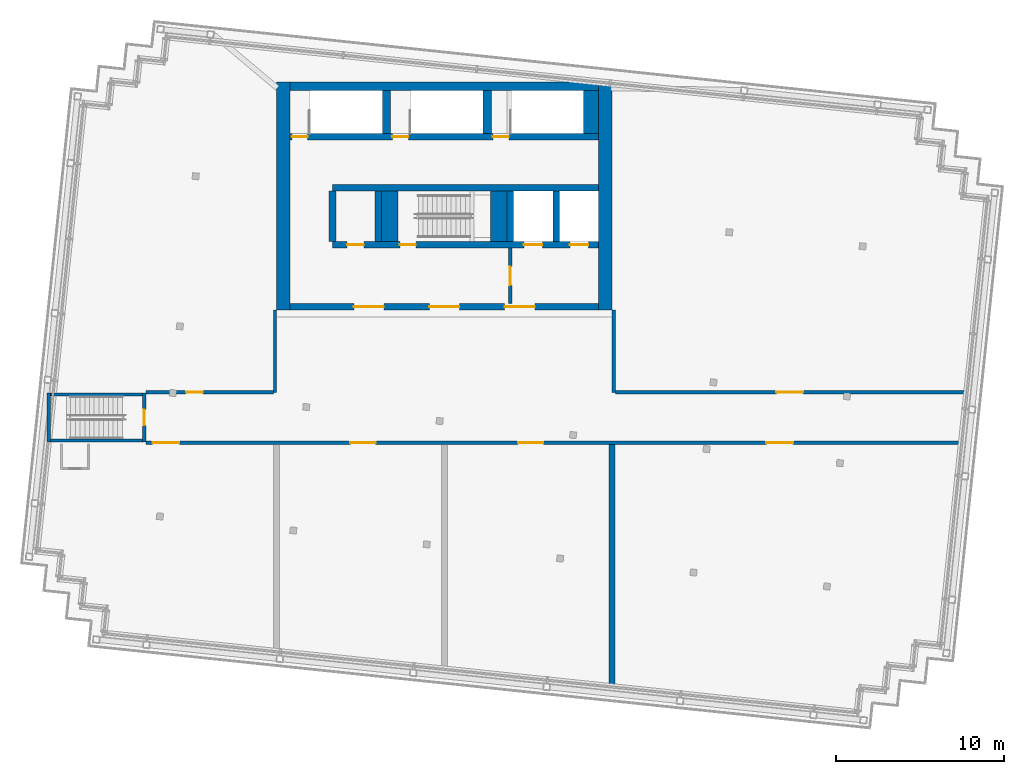
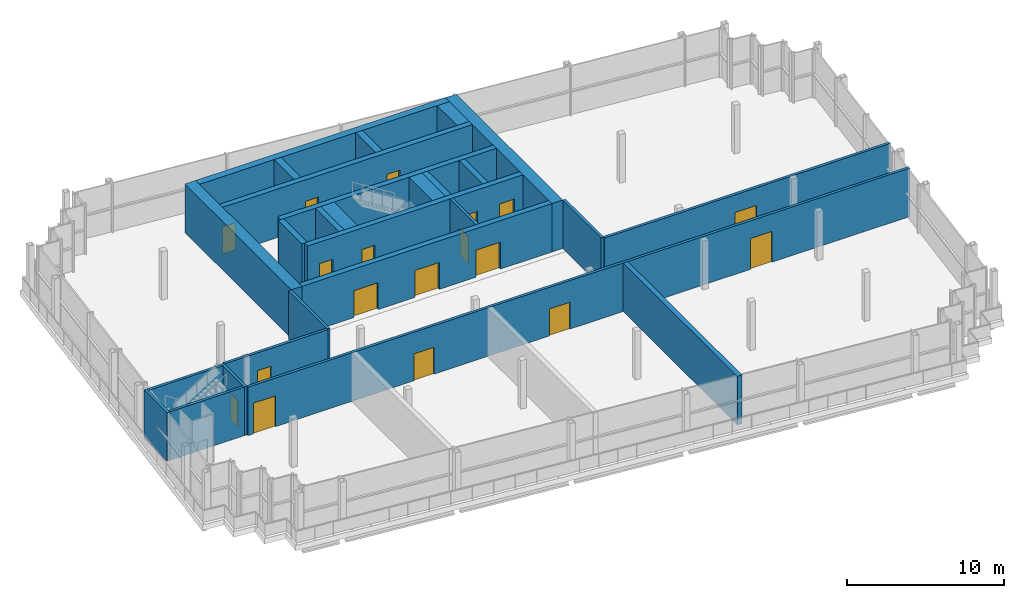
# One storey, part 8 of 13: 27 walls, 18 doors, 18 openings.
"""IFC4 building model written with IfcOpenShell, lengths in metres."""

from ifc_helpers import new_model, si_unit, direction, frame, frame_2d, origin, place, context, subcontext, project, spatial, rectangle, extrude, material, layer, layer_set, type_object, element, fill, save


model = new_model("IFC4")

# Units and contexts
model_context = context("Model", 3, precision=1e-05, world=origin(), true_north=direction((0.0, 1.0)))
body_context = subcontext(model_context, "Body", "Model", "MODEL_VIEW")
ifc_project = project(units=[si_unit("LENGTHUNIT", "METRE"), si_unit("AREAUNIT", "SQUARE_METRE"), si_unit("VOLUMEUNIT", "CUBIC_METRE"), si_unit("PLANEANGLEUNIT", "RADIAN"), si_unit("MASSUNIT", "GRAM", prefix="KILO")], contexts=[model_context])

# Site, building, storey
site_placement = place(None, origin())
site = spatial("IfcSite", under=ifc_project, at=site_placement, CompositionType="ELEMENT")
building_placement = place(site_placement, origin())
building = spatial("IfcBuilding", under=site, at=building_placement, Name="Vidyagriha Tower", CompositionType="ELEMENT")
storey_placement = place(building_placement, frame((0.0, 0.0, 309.199951171875)))
storey = spatial("IfcBuildingStorey", under=building, at=storey_placement, Name="L79", CompositionType="ELEMENT", Elevation=309.199951171875)

# Wall, opening, door
ifc_material_1 = material(Name="Concrete C60/75", Category="concrete")
ifc_layer_1 = layer(ifc_material_1, 0.199951171875)
ifc_layer_set_1 = layer_set([ifc_layer_1], Name="Concrete C60/75")
wall_type_1 = type_object("IfcWallType", Name="Core shear wall 200 mm", PredefinedType="SHEAR", material=ifc_layer_set_1)
wall_1_placement = place(storey_placement, frame((-17.89990234375, -1.47509765625, 0.0), z_axis=(0.0, 0.0, 1.0), x_axis=(0.0, 1.0, 0.0)))
wall_1 = element("IfcWall", 1, at=wall_1_placement, inside=storey, type_object=wall_type_1, Name="Stair ST-D2 end wall", PredefinedType="SHEAR", context=body_context, shape_type="SweptSolid", body=[
    extrude(rectangle(XDim=2.9501953125, YDim=0.199951171875, at=frame_2d((1.47509765625, 0.0))), origin(), (0.0, 0.0, 1.0), 3.780029296875),
])
opening_1_placement = place(wall_1_placement, frame((1.0, 0.0, 0.0)))
opening_1 = element("IfcOpeningElement", 2, at=opening_1_placement, cuts=wall_1, Name="Opening D79-10", PredefinedType="OPENING", context=body_context, shape_type="SweptSolid", body=[
    extrude(rectangle(XDim=0.949951171875, YDim=2.10009765625, at=frame_2d((0.47509765625, 1.050048828125))), frame((0.0, 0.10986328125, 0.0), z_axis=(0.0, -1.0, 0.0), x_axis=(1.0, 0.0, 0.0)), (0.0, 0.0, 1.0), 0.219970703125),
])
ifc_material_2 = material(Name="Hollow metal door leaf")
door_type_1 = type_object("IfcDoorType", Name="Exit stair door 950 x 2100 mm EI 90", OperationType="NOTDEFINED", PredefinedType="DOOR", material=ifc_material_2)
door_1_placement = place(opening_1_placement, origin())
door_1 = element("IfcDoor", 3, at=door_1_placement, inside=storey, type_object=door_type_1, Name="Stair door ST-D2 79", OperationType="SINGLE_SWING_RIGHT", OverallHeight=2.10009765625, OverallWidth=0.949951171875, PredefinedType="DOOR", context=body_context, shape_type="SweptSolid", body=[
    extrude(rectangle(XDim=0.949951171875, YDim=2.10009765625, at=frame_2d((0.47509765625, 1.050048828125))), frame((0.0, 0.02490234375, 0.0), z_axis=(0.0, -1.0, 0.0), x_axis=(1.0, 0.0, 0.0)), (0.0, 0.0, 1.0), 0.050048828125),
])
fill(opening_1, door_1)

# Walls
wall_2_placement = place(storey_placement, frame((-23.60009765625, -1.47509765625, 0.0), z_axis=(0.0, 0.0, 1.0), x_axis=(0.0, 1.0, 0.0)))
element("IfcWall", 4, at=wall_2_placement, inside=storey, type_object=wall_type_1, Name="Stair ST-D2 west wall", PredefinedType="SHEAR", context=body_context, shape_type="SweptSolid", body=[
    extrude(rectangle(XDim=2.9501953125, YDim=0.199951171875, at=frame_2d((1.47509765625, 0.0))), origin(), (0.0, 0.0, 1.0), 3.780029296875),
])
for number, where, name in (
    (5, (-23.5, -1.375, 0.0), "Stair ST-D2 south wall"),
    (6, (-23.5, 1.375, 0.0), "Stair ST-D2 north wall"),
):
    element("IfcWall", number, at=place(storey_placement, frame(where)), inside=storey, type_object=wall_type_1, Name=name, PredefinedType="SHEAR", context=body_context, shape_type="SweptSolid", body=[
        extrude(rectangle(XDim=5.5, YDim=0.199951171875, at=frame_2d((2.75, 0.0))), origin(), (0.0, 0.0, 1.0), 3.780029296875),
    ])

# Wall, openings, doors
ifc_material_3 = material(Name="Concrete C60/75", Category="concrete")
ifc_layer_2 = layer(ifc_material_3, 0.39990234375)
ifc_layer_set_2 = layer_set([ifc_layer_2], Name="Concrete C60/75")
wall_type_2 = type_object("IfcWallType", Name="Core shear wall 400 mm", PredefinedType="SHEAR", material=ifc_layer_set_2)
wall_3_placement = place(storey_placement, frame((-9.199951171875, 6.60009765625, 0.0)))
wall_3 = element("IfcWall", 7, at=wall_3_placement, inside=storey, type_object=wall_type_2, Name="Core south wall", PredefinedType="SHEAR", context=body_context, shape_type="SweptSolid", body=[
    extrude(rectangle(XDim=18.39990234375, YDim=0.39990234375, at=frame_2d((9.199951171875, 0.0))), origin(), (0.0, 0.0, 1.0), 3.780029296875),
])
opening_2_placement = place(wall_3_placement, frame((8.300048828125, 0.0, 0.0)))
opening_2 = element("IfcOpeningElement", 8, at=opening_2_placement, cuts=wall_3, Name="Opening D79-01", PredefinedType="OPENING", context=body_context, shape_type="SweptSolid", body=[
    extrude(rectangle(XDim=1.800048828125, YDim=2.10009765625, at=frame_2d((0.89990234375, 1.050048828125))), frame((0.0, 0.2099609375, 0.0), z_axis=(0.0, -1.0, 0.0), x_axis=(1.0, 0.0, 0.0)), (0.0, 0.0, 1.0), 0.419921875),
])
opening_3_placement = place(wall_3_placement, frame((3.800048828125, 0.0, 0.0)))
opening_3 = element("IfcOpeningElement", 9, at=opening_3_placement, cuts=wall_3, Name="Opening D79-02", PredefinedType="OPENING", context=body_context, shape_type="SweptSolid", body=[
    extrude(rectangle(XDim=1.800048828125, YDim=2.10009765625, at=frame_2d((0.89990234375, 1.050048828125))), frame((0.0, 0.2099609375, 0.0), z_axis=(0.0, -1.0, 0.0), x_axis=(1.0, 0.0, 0.0)), (0.0, 0.0, 1.0), 0.419921875),
])
opening_4_placement = place(wall_3_placement, frame((12.800048828125, 0.0, 0.0)))
opening_4 = element("IfcOpeningElement", 10, at=opening_4_placement, cuts=wall_3, Name="Opening D79-03", PredefinedType="OPENING", context=body_context, shape_type="SweptSolid", body=[
    extrude(rectangle(XDim=1.800048828125, YDim=2.10009765625, at=frame_2d((0.89990234375, 1.050048828125))), frame((0.0, 0.2099609375, 0.0), z_axis=(0.0, -1.0, 0.0), x_axis=(1.0, 0.0, 0.0)), (0.0, 0.0, 1.0), 0.419921875),
])
ifc_material_4 = material(Name="Hollow metal door leaf")
door_type_2 = type_object("IfcDoorType", Name="Core lobby double door 1800 x 2100 mm EI 60", OperationType="NOTDEFINED", PredefinedType="DOOR", material=ifc_material_4)
door_2_placement = place(opening_2_placement, frame((1.800048828125, 0.0, 0.0), z_axis=(0.0, 0.0, 1.0), x_axis=(-1.0, 0.0, 0.0)))
door_2 = element("IfcDoor", 11, at=door_2_placement, inside=storey, type_object=door_type_2, Name="Core entrance door L79", OperationType="DOUBLE_DOOR_SINGLE_SWING", OverallHeight=2.10009765625, OverallWidth=1.800048828125, PredefinedType="DOOR", context=body_context, shape_type="SweptSolid", body=[
    extrude(rectangle(XDim=1.800048828125, YDim=2.10009765625, at=frame_2d((0.89990234375, 1.050048828125))), frame((0.0, 0.02490234375, 0.0), z_axis=(0.0, -1.0, 0.0), x_axis=(1.0, 0.0, 0.0)), (0.0, 0.0, 1.0), 0.050048828125),
])
fill(opening_2, door_2)
door_3_placement = place(opening_3_placement, frame((1.800048828125, 0.0, 0.0), z_axis=(0.0, 0.0, 1.0), x_axis=(-1.0, 0.0, 0.0)))
door_3 = element("IfcDoor", 12, at=door_3_placement, inside=storey, type_object=door_type_2, Name="Core entrance door west L79", OperationType="DOUBLE_DOOR_SINGLE_SWING", OverallHeight=2.10009765625, OverallWidth=1.800048828125, PredefinedType="DOOR", context=body_context, shape_type="SweptSolid", body=[
    extrude(rectangle(XDim=1.800048828125, YDim=2.10009765625, at=frame_2d((0.89990234375, 1.050048828125))), frame((0.0, 0.02490234375, 0.0), z_axis=(0.0, -1.0, 0.0), x_axis=(1.0, 0.0, 0.0)), (0.0, 0.0, 1.0), 0.050048828125),
])
fill(opening_3, door_3)
door_4_placement = place(opening_4_placement, frame((1.800048828125, 0.0, 0.0), z_axis=(0.0, 0.0, 1.0), x_axis=(-1.0, 0.0, 0.0)))
door_4 = element("IfcDoor", 13, at=door_4_placement, inside=storey, type_object=door_type_2, Name="Core entrance door east L79", OperationType="DOUBLE_DOOR_SINGLE_SWING", OverallHeight=2.10009765625, OverallWidth=1.800048828125, PredefinedType="DOOR", context=body_context, shape_type="SweptSolid", body=[
    extrude(rectangle(XDim=1.800048828125, YDim=2.10009765625, at=frame_2d((0.89990234375, 1.050048828125))), frame((0.0, 0.02490234375, 0.0), z_axis=(0.0, -1.0, 0.0), x_axis=(1.0, 0.0, 0.0)), (0.0, 0.0, 1.0), 0.050048828125),
])
fill(opening_4, door_4)

wall_4_placement = place(storey_placement, frame((-6.666748046875, 10.300048828125, 0.0)))
wall_4 = element("IfcWall", 14, at=wall_4_placement, inside=storey, type_object=wall_type_2, Name="Core row N front wall", PredefinedType="SHEAR", context=body_context, shape_type="SweptSolid", body=[
    extrude(rectangle(XDim=15.86669921875, YDim=0.39990234375, at=frame_2d((7.933349609375, 0.0))), origin(), (0.0, 0.0, 1.0), 3.780029296875),
])
opening_5_placement = place(wall_4_placement, frame((11.416748046875, 0.0, 0.0)))
opening_5 = element("IfcOpeningElement", 15, at=opening_5_placement, cuts=wall_4, Name="Opening LD79-01", PredefinedType="OPENING", context=body_context, shape_type="SweptSolid", body=[
    extrude(rectangle(XDim=1.10009765625, YDim=2.10009765625, at=frame_2d((0.550048828125, 1.050048828125))), frame((0.0, 0.2099609375, 0.0), z_axis=(0.0, -1.0, 0.0), x_axis=(1.0, 0.0, 0.0)), (0.0, 0.0, 1.0), 0.419921875),
])
opening_6_placement = place(wall_4_placement, frame((14.14990234375, 0.0, 0.0)))
opening_6 = element("IfcOpeningElement", 16, at=opening_6_placement, cuts=wall_4, Name="Opening LD79-02", PredefinedType="OPENING", context=body_context, shape_type="SweptSolid", body=[
    extrude(rectangle(XDim=1.10009765625, YDim=2.10009765625, at=frame_2d((0.550048828125, 1.050048828125))), frame((0.0, 0.2099609375, 0.0), z_axis=(0.0, -1.0, 0.0), x_axis=(1.0, 0.0, 0.0)), (0.0, 0.0, 1.0), 0.419921875),
])
opening_7_placement = place(wall_4_placement, frame((0.86669921875, 0.0, 0.0)))
opening_7 = element("IfcOpeningElement", 17, at=opening_7_placement, cuts=wall_4, Name="Opening D79-04", PredefinedType="OPENING", context=body_context, shape_type="SweptSolid", body=[
    extrude(rectangle(XDim=1.0, YDim=2.10009765625, at=frame_2d((0.5, 1.050048828125))), frame((0.0, 0.2099609375, 0.0), z_axis=(0.0, -1.0, 0.0), x_axis=(1.0, 0.0, 0.0)), (0.0, 0.0, 1.0), 0.419921875),
])
opening_8_placement = place(wall_4_placement, frame((4.0166015625, 0.0, 0.0)))
opening_8 = element("IfcOpeningElement", 18, at=opening_8_placement, cuts=wall_4, Name="Opening D79-05", PredefinedType="OPENING", context=body_context, shape_type="SweptSolid", body=[
    extrude(rectangle(XDim=0.949951171875, YDim=2.10009765625, at=frame_2d((0.47509765625, 1.050048828125))), frame((0.0, 0.2099609375, 0.0), z_axis=(0.0, -1.0, 0.0), x_axis=(1.0, 0.0, 0.0)), (0.0, 0.0, 1.0), 0.419921875),
])
ifc_material_5 = material(Name="Hollow metal door leaf")
door_type_3 = type_object("IfcDoorType", Name="Core room door 1000 x 2100 mm EI 60", OperationType="NOTDEFINED", PredefinedType="DOOR", material=ifc_material_5)
door_5_placement = place(opening_7_placement, frame((1.0, 0.0, 0.0), z_axis=(0.0, 0.0, 1.0), x_axis=(-1.0, 0.0, 0.0)))
door_5 = element("IfcDoor", 19, at=door_5_placement, inside=storey, type_object=door_type_3, Name="Door Switchgear Room 79.14", OperationType="SINGLE_SWING_RIGHT", OverallHeight=2.10009765625, OverallWidth=1.0, PredefinedType="DOOR", context=body_context, shape_type="SweptSolid", body=[
    extrude(rectangle(XDim=1.0, YDim=2.10009765625, at=frame_2d((0.5, 1.050048828125))), frame((0.0, 0.02490234375, 0.0), z_axis=(0.0, -1.0, 0.0), x_axis=(1.0, 0.0, 0.0)), (0.0, 0.0, 1.0), 0.050048828125),
])
fill(opening_7, door_5)
door_6_placement = place(opening_8_placement, origin())
door_6 = element("IfcDoor", 20, at=door_6_placement, inside=storey, type_object=door_type_1, Name="Stair door ST-D L79", OperationType="SINGLE_SWING_RIGHT", OverallHeight=2.10009765625, OverallWidth=0.949951171875, PredefinedType="DOOR", context=body_context, shape_type="SweptSolid", body=[
    extrude(rectangle(XDim=0.949951171875, YDim=2.10009765625, at=frame_2d((0.47509765625, 1.050048828125))), frame((0.0, 0.02490234375, 0.0), z_axis=(0.0, -1.0, 0.0), x_axis=(1.0, 0.0, 0.0)), (0.0, 0.0, 1.0), 0.050048828125),
])
fill(opening_8, door_6)
ifc_material_6 = material(Name="Stainless steel sliding door panel", Category="steel")
door_type_4 = type_object("IfcDoorType", Name="Lift landing door 1100 x 2100 mm EI 90", OperationType="NOTDEFINED", PredefinedType="DOOR", material=ifc_material_6)
door_7_placement = place(opening_5_placement, origin())
door_7 = element("IfcDoor", 21, at=door_7_placement, inside=storey, type_object=door_type_4, Name="Landing door FF1 L79", OperationType="SLIDING_TO_LEFT", OverallHeight=2.10009765625, OverallWidth=1.10009765625, PredefinedType="DOOR", context=body_context, shape_type="SweptSolid", body=[
    extrude(rectangle(XDim=1.10009765625, YDim=2.10009765625, at=frame_2d((0.550048828125, 1.050048828125))), frame((0.0, 0.02490234375, 0.0), z_axis=(0.0, -1.0, 0.0), x_axis=(1.0, 0.0, 0.0)), (0.0, 0.0, 1.0), 0.050048828125),
])
fill(opening_5, door_7)
door_8_placement = place(opening_6_placement, origin())
door_8 = element("IfcDoor", 22, at=door_8_placement, inside=storey, type_object=door_type_4, Name="Landing door FF2 L79", OperationType="SLIDING_TO_LEFT", OverallHeight=2.10009765625, OverallWidth=1.10009765625, PredefinedType="DOOR", context=body_context, shape_type="SweptSolid", body=[
    extrude(rectangle(XDim=1.10009765625, YDim=2.10009765625, at=frame_2d((0.550048828125, 1.050048828125))), frame((0.0, 0.02490234375, 0.0), z_axis=(0.0, -1.0, 0.0), x_axis=(1.0, 0.0, 0.0)), (0.0, 0.0, 1.0), 0.050048828125),
])
fill(opening_6, door_8)

# Walls
wall_5_placement = place(storey_placement, frame((-6.666748046875, 13.699951171875, 0.0)))
element("IfcWall", 23, at=wall_5_placement, inside=storey, type_object=wall_type_2, Name="Core row N rear wall", PredefinedType="SHEAR", context=body_context, shape_type="SweptSolid", body=[
    extrude(rectangle(XDim=15.86669921875, YDim=0.39990234375, at=frame_2d((7.933349609375, 0.0))), origin(), (0.0, 0.0, 1.0), 3.780029296875),
])
for number, where, z_axis, x_axis, name in (
    (24, (-6.666748046875, 10.5, 0.0), (0.0, 0.0, 1.0), (0.0, 1.0, 0.0), "Core bay wall N1"),
    (25, (-3.933349609375, 10.5, 0.0), (0.0, 0.0, 1.0), (0.0, 1.0, 0.0), "Core bay wall N2"),
    (26, (3.933349609375, 10.5, 0.0), (0.0, 0.0, 1.0), (0.0, 1.0, 0.0), "Core bay wall N5"),
    (27, (6.666748046875, 10.5, 0.0), (0.0, 0.0, 1.0), (0.0, 1.0, 0.0), "Core bay wall N6"),
):
    element("IfcWall", number, at=place(storey_placement, frame(where, z_axis=z_axis, x_axis=x_axis)), inside=storey, type_object=wall_type_2, Name=name, PredefinedType="SHEAR", context=body_context, shape_type="SweptSolid", body=[
        extrude(rectangle(XDim=3.0, YDim=0.39990234375, at=frame_2d((1.5, 0.0))), origin(), (0.0, 0.0, 1.0), 3.780029296875),
    ])

# Wall, openings, doors
wall_6_placement = place(storey_placement, frame((-9.199951171875, 16.75, 0.0)))
wall_6 = element("IfcWall", 28, at=wall_6_placement, inside=storey, type_object=wall_type_2, Name="Stair front wall", PredefinedType="SHEAR", context=body_context, shape_type="SweptSolid", body=[
    extrude(rectangle(XDim=18.39990234375, YDim=0.39990234375, at=frame_2d((9.199951171875, 0.0))), origin(), (0.0, 0.0, 1.0), 3.780029296875),
])
opening_9_placement = place(wall_6_placement, frame((0.10009765625, 0.0, 0.0)))
opening_9 = element("IfcOpeningElement", 29, at=opening_9_placement, cuts=wall_6, Name="Opening D79-07", PredefinedType="OPENING", context=body_context, shape_type="SweptSolid", body=[
    extrude(rectangle(XDim=0.949951171875, YDim=2.10009765625, at=frame_2d((0.47509765625, 1.050048828125))), frame((0.0, 0.2099609375, 0.0), z_axis=(0.0, -1.0, 0.0), x_axis=(1.0, 0.0, 0.0)), (0.0, 0.0, 1.0), 0.419921875),
])
opening_10_placement = place(wall_6_placement, frame((6.10009765625, 0.0, 0.0)))
opening_10 = element("IfcOpeningElement", 30, at=opening_10_placement, cuts=wall_6, Name="Opening D79-08", PredefinedType="OPENING", context=body_context, shape_type="SweptSolid", body=[
    extrude(rectangle(XDim=0.949951171875, YDim=2.10009765625, at=frame_2d((0.47509765625, 1.050048828125))), frame((0.0, 0.2099609375, 0.0), z_axis=(0.0, -1.0, 0.0), x_axis=(1.0, 0.0, 0.0)), (0.0, 0.0, 1.0), 0.419921875),
])
opening_11_placement = place(wall_6_placement, frame((12.10009765625, 0.0, 0.0)))
opening_11 = element("IfcOpeningElement", 31, at=opening_11_placement, cuts=wall_6, Name="Opening D79-09", PredefinedType="OPENING", context=body_context, shape_type="SweptSolid", body=[
    extrude(rectangle(XDim=0.949951171875, YDim=2.10009765625, at=frame_2d((0.47509765625, 1.050048828125))), frame((0.0, 0.2099609375, 0.0), z_axis=(0.0, -1.0, 0.0), x_axis=(1.0, 0.0, 0.0)), (0.0, 0.0, 1.0), 0.419921875),
])
door_9_placement = place(opening_9_placement, origin())
door_9 = element("IfcDoor", 32, at=door_9_placement, inside=storey, type_object=door_type_1, Name="Stair door ST1 L79", OperationType="SINGLE_SWING_LEFT", OverallHeight=2.10009765625, OverallWidth=0.949951171875, PredefinedType="DOOR", context=body_context, shape_type="SweptSolid", body=[
    extrude(rectangle(XDim=0.949951171875, YDim=2.10009765625, at=frame_2d((0.47509765625, 1.050048828125))), frame((0.0, 0.02490234375, 0.0), z_axis=(0.0, -1.0, 0.0), x_axis=(1.0, 0.0, 0.0)), (0.0, 0.0, 1.0), 0.050048828125),
])
fill(opening_9, door_9)
door_10_placement = place(opening_10_placement, origin())
door_10 = element("IfcDoor", 33, at=door_10_placement, inside=storey, type_object=door_type_1, Name="Stair door ST2 L79", OperationType="SINGLE_SWING_LEFT", OverallHeight=2.10009765625, OverallWidth=0.949951171875, PredefinedType="DOOR", context=body_context, shape_type="SweptSolid", body=[
    extrude(rectangle(XDim=0.949951171875, YDim=2.10009765625, at=frame_2d((0.47509765625, 1.050048828125))), frame((0.0, 0.02490234375, 0.0), z_axis=(0.0, -1.0, 0.0), x_axis=(1.0, 0.0, 0.0)), (0.0, 0.0, 1.0), 0.050048828125),
])
fill(opening_10, door_10)
door_11_placement = place(opening_11_placement, origin())
door_11 = element("IfcDoor", 34, at=door_11_placement, inside=storey, type_object=door_type_1, Name="Stair door ST3 L79", OperationType="SINGLE_SWING_LEFT", OverallHeight=2.10009765625, OverallWidth=0.949951171875, PredefinedType="DOOR", context=body_context, shape_type="SweptSolid", body=[
    extrude(rectangle(XDim=0.949951171875, YDim=2.10009765625, at=frame_2d((0.47509765625, 1.050048828125))), frame((0.0, 0.02490234375, 0.0), z_axis=(0.0, -1.0, 0.0), x_axis=(1.0, 0.0, 0.0)), (0.0, 0.0, 1.0), 0.050048828125),
])
fill(opening_11, door_11)

# Walls
ifc_material_7 = material(Name="Concrete C60/75", Category="concrete")
ifc_layer_3 = layer(ifc_material_7, 0.5)
ifc_layer_set_3 = layer_set([ifc_layer_3], Name="Concrete C60/75")
wall_type_3 = type_object("IfcWallType", Name="Core shear wall 500 mm", PredefinedType="SHEAR", material=ifc_layer_set_3)
wall_7_placement = place(storey_placement, frame((-9.199951171875, 19.75, 0.0)))
element("IfcWall", 35, at=wall_7_placement, inside=storey, type_object=wall_type_3, Name="Core north wall", PredefinedType="SHEAR", context=body_context, shape_type="SweptSolid", body=[
    extrude(rectangle(XDim=18.39990234375, YDim=0.5, at=frame_2d((9.199951171875, 0.0))), origin(), (0.0, 0.0, 1.0), 3.780029296875),
])
for number, where, z_axis, x_axis, name in (
    (36, (-3.449951171875, 16.949951171875, 0.0), (0.0, 0.0, 1.0), (0.0, 1.0, 0.0), "Stair partition wall 1"),
    (37, (2.550048828125, 16.949951171875, 0.0), (0.0, 0.0, 1.0), (0.0, 1.0, 0.0), "Stair partition wall 2"),
):
    element("IfcWall", number, at=place(storey_placement, frame(where, z_axis=z_axis, x_axis=x_axis)), inside=storey, type_object=wall_type_3, Name=name, PredefinedType="SHEAR", context=body_context, shape_type="SweptSolid", body=[
        extrude(rectangle(XDim=2.550048828125, YDim=0.5, at=frame_2d((1.27490234375, 0.0))), origin(), (0.0, 0.0, 1.0), 3.780029296875),
    ])
ifc_material_8 = material(Name="Concrete C60/75", Category="concrete")
ifc_layer_4 = layer(ifc_material_8, 0.800048828125)
ifc_layer_set_4 = layer_set([ifc_layer_4], Name="Concrete C60/75")
wall_type_4 = type_object("IfcWallType", Name="Core shear wall 800 mm", PredefinedType="SHEAR", material=ifc_layer_set_4)
for number, where, z_axis, x_axis, name in (
    (38, (-9.60009765625, 6.39990234375, 0.0), (0.0, 0.0, 1.0), (0.0, 1.0, 0.0), "Core west wall"),
    (39, (9.60009765625, 6.39990234375, 0.0), (0.0, 0.0, 1.0), (0.0, 1.0, 0.0), "Core east wall"),
):
    element("IfcWall", number, at=place(storey_placement, frame(where, z_axis=z_axis, x_axis=x_axis)), inside=storey, type_object=wall_type_4, Name=name, PredefinedType="SHEAR", context=body_context, shape_type="SweptSolid", body=[
        extrude(rectangle(XDim=13.60009765625, YDim=0.800048828125, at=frame_2d((6.800048828125, 0.0))), origin(), (0.0, 0.0, 1.0), 3.780029296875),
    ])
ifc_material_9 = material(Name="Concrete C60/75", Category="concrete")
ifc_layer_5 = layer(ifc_material_9, 0.89990234375)
ifc_layer_set_5 = layer_set([ifc_layer_5], Name="Concrete C60/75")
wall_type_5 = type_object("IfcWallType", Name="Core shear wall 900 mm", PredefinedType="SHEAR", material=ifc_layer_set_5)
wall_8_placement = place(storey_placement, frame((8.75, 16.949951171875, 0.0), z_axis=(0.0, 0.0, 1.0), x_axis=(0.0, 1.0, 0.0)))
element("IfcWall", 40, at=wall_8_placement, inside=storey, type_object=wall_type_5, Name="Stair end wall", PredefinedType="SHEAR", context=body_context, shape_type="SweptSolid", body=[
    extrude(rectangle(XDim=2.550048828125, YDim=0.89990234375, at=frame_2d((1.27490234375, 0.0))), origin(), (0.0, 0.0, 1.0), 3.780029296875),
])
ifc_material_10 = material(Name="Concrete C60/75", Category="concrete")
ifc_layer_6 = layer(ifc_material_10, 0.9833984375)
ifc_layer_set_6 = layer_set([ifc_layer_6], Name="Concrete C60/75")
wall_type_6 = type_object("IfcWallType", Name="Core shear wall 983 mm", PredefinedType="SHEAR", material=ifc_layer_set_6)
for number, where, z_axis, x_axis, name in (
    (41, (-3.24169921875, 10.5, 0.0), (0.0, 0.0, 1.0), (0.0, 1.0, 0.0), "Drum stair west end wall"),
    (42, (3.24169921875, 10.5, 0.0), (0.0, 0.0, 1.0), (0.0, 1.0, 0.0), "Drum stair east end wall"),
):
    element("IfcWall", number, at=place(storey_placement, frame(where, z_axis=z_axis, x_axis=x_axis)), inside=storey, type_object=wall_type_6, Name=name, PredefinedType="SHEAR", context=body_context, shape_type="SweptSolid", body=[
        extrude(rectangle(XDim=3.0, YDim=0.9833984375, at=frame_2d((1.5, 0.0))), origin(), (0.0, 0.0, 1.0), 3.780029296875),
    ])

# Wall, opening, door
ifc_material_11 = material(Name="Blockwork 15 MPa", Category="masonry")
ifc_layer_7 = layer(ifc_material_11, 0.199951171875)
ifc_layer_set_7 = layer_set([ifc_layer_7], Name="Blockwork 15 MPa")
wall_type_7 = type_object("IfcWallType", Name="Service room partition 200 mm", PredefinedType="PARTITIONING", material=ifc_layer_set_7)
wall_9_placement = place(storey_placement, frame((3.933349609375, 6.800048828125, 0.0), z_axis=(0.0, 0.0, 1.0), x_axis=(0.0, 1.0, 0.0)))
wall_9 = element("IfcWall", 43, at=wall_9_placement, inside=storey, type_object=wall_type_7, Name="Fire-fighting lobby west wall", PredefinedType="PARTITIONING", context=body_context, shape_type="SweptSolid", body=[
    extrude(rectangle(XDim=3.300048828125, YDim=0.199951171875, at=frame_2d((1.64990234375, 0.0))), origin(), (0.0, 0.0, 1.0), 3.780029296875),
])
opening_12_placement = place(wall_9_placement, frame((1.10009765625, 0.0, 0.0)))
opening_12 = element("IfcOpeningElement", 44, at=opening_12_placement, cuts=wall_9, Name="Opening D79-06", PredefinedType="OPENING", context=body_context, shape_type="SweptSolid", body=[
    extrude(rectangle(XDim=1.10009765625, YDim=2.10009765625, at=frame_2d((0.550048828125, 1.050048828125))), frame((0.0, 0.10986328125, 0.0), z_axis=(0.0, -1.0, 0.0), x_axis=(1.0, 0.0, 0.0)), (0.0, 0.0, 1.0), 0.219970703125),
])
ifc_material_12 = material(Name="Hollow metal door leaf")
door_type_5 = type_object("IfcDoorType", Name="Fire-fighting lobby door 1100 x 2100 mm EI 90", OperationType="NOTDEFINED", PredefinedType="DOOR", material=ifc_material_12)
door_12_placement = place(opening_12_placement, origin())
door_12 = element("IfcDoor", 45, at=door_12_placement, inside=storey, type_object=door_type_5, Name="Fire-fighting lobby door L79", OperationType="SINGLE_SWING_RIGHT", OverallHeight=2.10009765625, OverallWidth=1.10009765625, PredefinedType="DOOR", context=body_context, shape_type="SweptSolid", body=[
    extrude(rectangle(XDim=1.10009765625, YDim=2.10009765625, at=frame_2d((0.550048828125, 1.050048828125))), frame((0.0, 0.02490234375, 0.0), z_axis=(0.0, -1.0, 0.0), x_axis=(1.0, 0.0, 0.0)), (0.0, 0.0, 1.0), 0.050048828125),
])
fill(opening_12, door_12)

# Wall, openings, doors
wall_10_placement = place(storey_placement, frame((-17.800048828125, -1.5, 0.0)))
wall_10 = element("IfcWall", 46, at=wall_10_placement, inside=storey, type_object=wall_type_7, Name="Plant corridor south wall", PredefinedType="PARTITIONING", context=body_context, shape_type="SweptSolid", body=[
    extrude(rectangle(XDim=48.7587890625, YDim=0.199951171875, at=frame_2d((24.37939453125, 0.0))), origin(), (0.0, 0.0, 1.0), 3.780029296875),
])
opening_13_placement = place(wall_10_placement, frame((0.39990234375, 0.0, 0.0)))
opening_13 = element("IfcOpeningElement", 47, at=opening_13_placement, cuts=wall_10, Name="Opening D79-11", PredefinedType="OPENING", context=body_context, shape_type="SweptSolid", body=[
    extrude(rectangle(XDim=1.60009765625, YDim=2.39990234375, at=frame_2d((0.800048828125, 1.199951171875))), frame((0.0, 0.10986328125, 0.0), z_axis=(0.0, -1.0, 0.0), x_axis=(1.0, 0.0, 0.0)), (0.0, 0.0, 1.0), 0.219970703125),
])
opening_14_placement = place(wall_10_placement, frame((12.199951171875, 0.0, 0.0)))
opening_14 = element("IfcOpeningElement", 48, at=opening_14_placement, cuts=wall_10, Name="Opening D79-13", PredefinedType="OPENING", context=body_context, shape_type="SweptSolid", body=[
    extrude(rectangle(XDim=1.5, YDim=2.10009765625, at=frame_2d((0.75, 1.050048828125))), frame((0.0, 0.10986328125, 0.0), z_axis=(0.0, -1.0, 0.0), x_axis=(1.0, 0.0, 0.0)), (0.0, 0.0, 1.0), 0.219970703125),
])
opening_15_placement = place(wall_10_placement, frame((22.199951171875, 0.0, 0.0)))
opening_15 = element("IfcOpeningElement", 49, at=opening_15_placement, cuts=wall_10, Name="Opening D79-14", PredefinedType="OPENING", context=body_context, shape_type="SweptSolid", body=[
    extrude(rectangle(XDim=1.5, YDim=2.10009765625, at=frame_2d((0.75, 1.050048828125))), frame((0.0, 0.10986328125, 0.0), z_axis=(0.0, -1.0, 0.0), x_axis=(1.0, 0.0, 0.0)), (0.0, 0.0, 1.0), 0.219970703125),
])
opening_16_placement = place(wall_10_placement, frame((37.0, 0.0, 0.0)))
opening_16 = element("IfcOpeningElement", 50, at=opening_16_placement, cuts=wall_10, Name="Opening D79-15", PredefinedType="OPENING", context=body_context, shape_type="SweptSolid", body=[
    extrude(rectangle(XDim=1.60009765625, YDim=2.39990234375, at=frame_2d((0.800048828125, 1.199951171875))), frame((0.0, 0.10986328125, 0.0), z_axis=(0.0, -1.0, 0.0), x_axis=(1.0, 0.0, 0.0)), (0.0, 0.0, 1.0), 0.219970703125),
])
ifc_material_13 = material(Name="Hollow metal door leaf")
door_type_6 = type_object("IfcDoorType", Name="Plant room double door 1600 x 2400 mm EI 90", OperationType="NOTDEFINED", PredefinedType="DOOR", material=ifc_material_13)
door_13_placement = place(opening_13_placement, origin())
door_13 = element("IfcDoor", 51, at=door_13_placement, inside=storey, type_object=door_type_6, Name="Door Smoke Extract Plant Room 79.01", OperationType="DOUBLE_DOOR_SINGLE_SWING", OverallHeight=2.39990234375, OverallWidth=1.60009765625, PredefinedType="DOOR", context=body_context, shape_type="SweptSolid", body=[
    extrude(rectangle(XDim=1.60009765625, YDim=2.39990234375, at=frame_2d((0.800048828125, 1.199951171875))), frame((0.0, 0.02490234375, 0.0), z_axis=(0.0, -1.0, 0.0), x_axis=(1.0, 0.0, 0.0)), (0.0, 0.0, 1.0), 0.050048828125),
])
fill(opening_13, door_13)
door_14_placement = place(opening_16_placement, origin())
door_14 = element("IfcDoor", 52, at=door_14_placement, inside=storey, type_object=door_type_6, Name="Door Fire Pump Room 79.04", OperationType="DOUBLE_DOOR_SINGLE_SWING", OverallHeight=2.39990234375, OverallWidth=1.60009765625, PredefinedType="DOOR", context=body_context, shape_type="SweptSolid", body=[
    extrude(rectangle(XDim=1.60009765625, YDim=2.39990234375, at=frame_2d((0.800048828125, 1.199951171875))), frame((0.0, 0.02490234375, 0.0), z_axis=(0.0, -1.0, 0.0), x_axis=(1.0, 0.0, 0.0)), (0.0, 0.0, 1.0), 0.050048828125),
])
fill(opening_16, door_14)
ifc_material_14 = material(Name="Hollow metal door leaf")
door_type_7 = type_object("IfcDoorType", Name="Refuge area double door 1500 x 2100 mm EI 90", OperationType="NOTDEFINED", PredefinedType="DOOR", material=ifc_material_14)
door_15_placement = place(opening_14_placement, origin())
door_15 = element("IfcDoor", 53, at=door_15_placement, inside=storey, type_object=door_type_7, Name="Door Refuge Area 79.1", OperationType="DOUBLE_DOOR_SINGLE_SWING", OverallHeight=2.10009765625, OverallWidth=1.5, PredefinedType="DOOR", context=body_context, shape_type="SweptSolid", body=[
    extrude(rectangle(XDim=1.5, YDim=2.10009765625, at=frame_2d((0.75, 1.050048828125))), frame((0.0, 0.02490234375, 0.0), z_axis=(0.0, -1.0, 0.0), x_axis=(1.0, 0.0, 0.0)), (0.0, 0.0, 1.0), 0.050048828125),
])
fill(opening_14, door_15)
door_16_placement = place(opening_15_placement, origin())
door_16 = element("IfcDoor", 54, at=door_16_placement, inside=storey, type_object=door_type_7, Name="Door Refuge Area 79.2", OperationType="DOUBLE_DOOR_SINGLE_SWING", OverallHeight=2.10009765625, OverallWidth=1.5, PredefinedType="DOOR", context=body_context, shape_type="SweptSolid", body=[
    extrude(rectangle(XDim=1.5, YDim=2.10009765625, at=frame_2d((0.75, 1.050048828125))), frame((0.0, 0.02490234375, 0.0), z_axis=(0.0, -1.0, 0.0), x_axis=(1.0, 0.0, 0.0)), (0.0, 0.0, 1.0), 0.050048828125),
])
fill(opening_15, door_16)

# Wall, opening, door
wall_11_placement = place(storey_placement, frame((-17.800048828125, 1.5, 0.0)))
wall_11 = element("IfcWall", 55, at=wall_11_placement, inside=storey, type_object=wall_type_7, Name="Plant corridor north wall west", PredefinedType="PARTITIONING", context=body_context, shape_type="SweptSolid", body=[
    extrude(rectangle(XDim=7.60009765625, YDim=0.199951171875, at=frame_2d((3.800048828125, 0.0))), origin(), (0.0, 0.0, 1.0), 3.780029296875),
])
opening_17_placement = place(wall_11_placement, frame((2.39990234375, 0.0, 0.0)))
opening_17 = element("IfcOpeningElement", 56, at=opening_17_placement, cuts=wall_11, Name="Opening D79-16", PredefinedType="OPENING", context=body_context, shape_type="SweptSolid", body=[
    extrude(rectangle(XDim=1.0, YDim=2.39990234375, at=frame_2d((0.5, 1.199951171875))), frame((0.0, 0.10986328125, 0.0), z_axis=(0.0, -1.0, 0.0), x_axis=(1.0, 0.0, 0.0)), (0.0, 0.0, 1.0), 0.219970703125),
])
ifc_material_15 = material(Name="Hollow metal door leaf")
door_type_8 = type_object("IfcDoorType", Name="Electrical room door 1000 x 2400 mm EI 90", OperationType="NOTDEFINED", PredefinedType="DOOR", material=ifc_material_15)
door_17_placement = place(opening_17_placement, frame((1.0, 0.0, 0.0), z_axis=(0.0, 0.0, 1.0), x_axis=(-1.0, 0.0, 0.0)))
door_17 = element("IfcDoor", 57, at=door_17_placement, inside=storey, type_object=door_type_8, Name="Door Battery Room 79.W1", OperationType="SINGLE_SWING_RIGHT", OverallHeight=2.39990234375, OverallWidth=1.0, PredefinedType="DOOR", context=body_context, shape_type="SweptSolid", body=[
    extrude(rectangle(XDim=1.0, YDim=2.39990234375, at=frame_2d((0.5, 1.199951171875))), frame((0.0, 0.02490234375, 0.0), z_axis=(0.0, -1.0, 0.0), x_axis=(1.0, 0.0, 0.0)), (0.0, 0.0, 1.0), 0.050048828125),
])
fill(opening_17, door_17)

wall_12_placement = place(storey_placement, frame((10.199951171875, 1.5, 0.0)))
wall_12 = element("IfcWall", 58, at=wall_12_placement, inside=storey, type_object=wall_type_7, Name="Plant corridor north wall east", PredefinedType="PARTITIONING", context=body_context, shape_type="SweptSolid", body=[
    extrude(rectangle(XDim=21.073974609375, YDim=0.199951171875, at=frame_2d((10.537109375, 0.0))), origin(), (0.0, 0.0, 1.0), 3.780029296875),
])
opening_18_placement = place(wall_12_placement, frame((9.60009765625, 0.0, 0.0)))
opening_18 = element("IfcOpeningElement", 59, at=opening_18_placement, cuts=wall_12, Name="Opening D79-17", PredefinedType="OPENING", context=body_context, shape_type="SweptSolid", body=[
    extrude(rectangle(XDim=1.60009765625, YDim=2.39990234375, at=frame_2d((0.800048828125, 1.199951171875))), frame((0.0, 0.10986328125, 0.0), z_axis=(0.0, -1.0, 0.0), x_axis=(1.0, 0.0, 0.0)), (0.0, 0.0, 1.0), 0.219970703125),
])
door_18_placement = place(opening_18_placement, frame((1.60009765625, 0.0, 0.0), z_axis=(0.0, 0.0, 1.0), x_axis=(-1.0, 0.0, 0.0)))
door_18 = element("IfcDoor", 60, at=door_18_placement, inside=storey, type_object=door_type_6, Name="Door Chiller Plant Room 79.E1", OperationType="DOUBLE_DOOR_SINGLE_SWING", OverallHeight=2.39990234375, OverallWidth=1.60009765625, PredefinedType="DOOR", context=body_context, shape_type="SweptSolid", body=[
    extrude(rectangle(XDim=1.60009765625, YDim=2.39990234375, at=frame_2d((0.800048828125, 1.199951171875))), frame((0.0, 0.02490234375, 0.0), z_axis=(0.0, -1.0, 0.0), x_axis=(1.0, 0.0, 0.0)), (0.0, 0.0, 1.0), 0.050048828125),
])
fill(opening_18, door_18)

# Walls
for number, where, z_axis, x_axis, name in (
    (61, (-10.10009765625, 1.5, 0.0), (0.0, 0.0, 1.0), (0.0, 1.0, 0.0), "Lift hall west return wall"),
    (62, (10.10009765625, 1.5, 0.0), (0.0, 0.0, 1.0), (0.0, 1.0, 0.0), "Lift hall east return wall"),
):
    element("IfcWall", number, at=place(storey_placement, frame(where, z_axis=z_axis, x_axis=x_axis)), inside=storey, type_object=wall_type_7, Name=name, PredefinedType="PARTITIONING", context=body_context, shape_type="SweptSolid", body=[
        extrude(rectangle(XDim=4.89990234375, YDim=0.199951171875, at=frame_2d((2.449951171875, 0.0))), origin(), (0.0, 0.0, 1.0), 3.780029296875),
    ])
ifc_material_16 = material(Name="Blockwork 15 MPa", Category="masonry")
ifc_layer_8 = layer(ifc_material_16, 0.35009765625)
ifc_layer_set_8 = layer_set([ifc_layer_8], Name="Blockwork 15 MPa")
wall_type_8 = type_object("IfcWallType", Name="Service room partition 350 mm", PredefinedType="PARTITIONING", material=ifc_layer_set_8)
wall_13_placement = place(storey_placement, frame((10.0, -16.173095703125, 0.0), z_axis=(0.0, 0.0, 1.0), x_axis=(0.0, 1.0, 0.0)))
element("IfcWall", 63, at=wall_13_placement, inside=storey, type_object=wall_type_8, Name="Plant room wall", PredefinedType="PARTITIONING", context=body_context, shape_type="SweptSolid", body=[
    extrude(rectangle(XDim=14.572998046875, YDim=0.35009765625, at=frame_2d((7.28662109375, 0.0))), origin(), (0.0, 0.0, 1.0), 3.780029296875),
])

save(model, "model.ifc")
